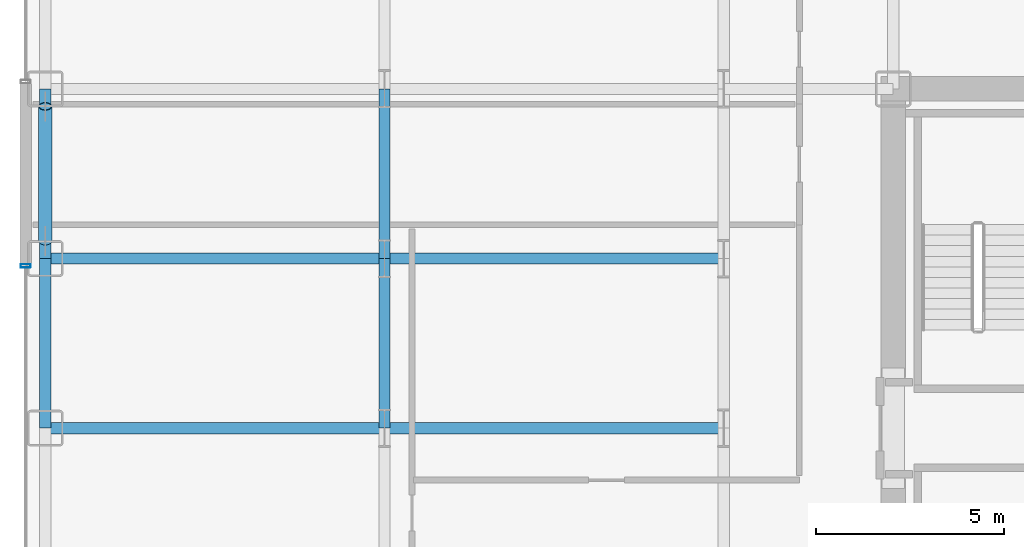
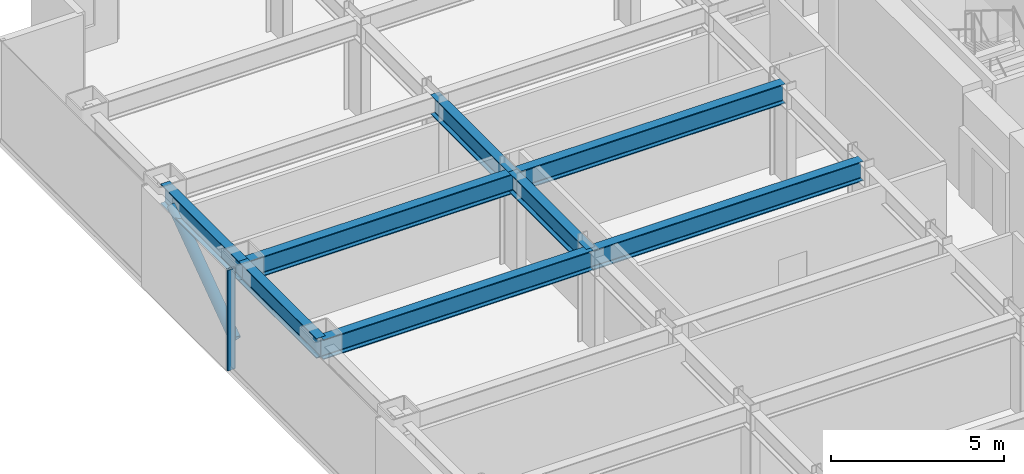
# One storey, part 6 of 29: 8 beams, 2 members, 1 element without a shape of its own.
"""IFC4 building model written with IfcOpenShell, lengths in metres."""

from ifc_helpers import new_model, si_unit, direction, frame, origin, origin_2d, place, context, subcontext, project, spatial, hollow_rectangle, hollow_circle, i_section, extrude, source, transform, mapped, material, layer, layer_set, material_profile, profile_set, type_object, element, aggregate, save


model = new_model("IFC4")

# Units and contexts
model_context = context("Model", 3, precision=1e-05, world=origin(), true_north=direction((0.0, 1.0)))
body_context = subcontext(model_context, "Body", "Model", "MODEL_VIEW")
ifc_project = project(units=[si_unit("LENGTHUNIT", "METRE"), si_unit("AREAUNIT", "SQUARE_METRE"), si_unit("VOLUMEUNIT", "CUBIC_METRE"), si_unit("PLANEANGLEUNIT", "RADIAN"), si_unit("MASSUNIT", "GRAM", prefix="KILO")], contexts=[model_context])

# Site, building, storey
site_placement = place(None, origin())
site = spatial("IfcSite", under=ifc_project, at=site_placement, CompositionType="ELEMENT")
building_placement = place(site_placement, origin())
building = spatial("IfcBuilding", under=site, at=building_placement, Name="Nefas-Gora Pilgrimage Tower", CompositionType="ELEMENT")
storey_placement = place(building_placement, frame((0.0, 0.0, 67.199951171875)))
storey = spatial("IfcBuildingStorey", under=building, at=storey_placement, Name="L15", CompositionType="ELEMENT", Elevation=67.199951171875)

# Beams
ifc_material_1 = material(Name="Steel S355", Category="steel")
ifc_material_profile_1 = material_profile(ifc_material_1, i_section(OverallWidth=0.300048828125, OverallDepth=0.699951171875, WebThickness=0.01708984375, FlangeThickness=0.031982421875, FilletRadius=0.027099609375, at=origin_2d()), Name="HEB 700")
ifc_profile_set_1 = profile_set([ifc_material_profile_1], Name="Steel S355")
beam_type_1 = type_object("IfcBeamType", Name="BM-SPN-HEB600", PredefinedType="SPANDREL", material=ifc_profile_set_1)
shared_shape_1 = source(origin(), body_context, "Body", "SweptSolid", [
    extrude(i_section(OverallWidth=0.300048828125, OverallDepth=0.699951171875, WebThickness=0.01708984375, FlangeThickness=0.031982421875, FilletRadius=0.027099609375, at=origin_2d()), origin(), (0.0, 0.0, 1.0), 4.5),
])
for number, where, z_axis, x_axis, name in (
    (1, (-33.75, 0.0, 3.199951171875), (0.0, 1.0, 0.0), (-1.0, 0.0, 0.0), "L15 SP-01 beam"),
    (2, (-33.75, 4.5, 3.199951171875), (0.0, 1.0, 0.0), (-1.0, 0.0, 0.0), "L15 SP-01 beam"),
):
    element("IfcBeam", number, at=place(storey_placement, frame(where, z_axis=z_axis, x_axis=x_axis)), inside=storey, type_object=beam_type_1, Name=name, PredefinedType="SPANDREL", context=body_context, shape_type="MappedRepresentation", body=[
        mapped(shared_shape_1, transform((0.0, 0.0, 0.0), x_axis=(1.0, 0.0, 0.0), y_axis=(0.0, 1.0, 0.0), z_axis=(0.0, 0.0, 1.0), scale=1.0)),
    ])
ifc_material_profile_2 = material_profile(ifc_material_1, i_section(OverallWidth=0.300048828125, OverallDepth=0.699951171875, WebThickness=0.01708984375, FlangeThickness=0.031982421875, FilletRadius=0.027099609375, at=origin_2d()), Name="HEB 700")
ifc_profile_set_2 = profile_set([ifc_material_profile_2], Name="Steel S355")
beam_type_2 = type_object("IfcBeamType", Name="BM-GIR-HEB700", PredefinedType="BEAM", material=ifc_profile_set_2)
shared_shape_2 = source(origin(), body_context, "Body", "SweptSolid", [
    extrude(i_section(OverallWidth=0.300048828125, OverallDepth=0.699951171875, WebThickness=0.01708984375, FlangeThickness=0.031982421875, FilletRadius=0.027099609375, at=origin_2d()), origin(), (0.0, 0.0, 1.0), 9.0),
])
for number, where, z_axis, x_axis, name in (
    (3, (-33.75, 0.0, 3.199951171875), (1.0, 0.0, 0.0), (0.0, 1.0, 0.0), "L15 G-02 beam"),
    (4, (-33.75, 4.5, 3.199951171875), (1.0, 0.0, 0.0), (0.0, 1.0, 0.0), "L15 G-02 beam"),
    (5, (-24.75, 0.0, 3.199951171875), (1.0, 0.0, 0.0), (0.0, 1.0, 0.0), "L15 G-02 beam"),
    (6, (-24.75, 4.5, 3.199951171875), (1.0, 0.0, 0.0), (0.0, 1.0, 0.0), "L15 G-02 beam"),
):
    element("IfcBeam", number, at=place(storey_placement, frame(where, z_axis=z_axis, x_axis=x_axis)), inside=storey, type_object=beam_type_2, Name=name, PredefinedType="BEAM", context=body_context, shape_type="MappedRepresentation", body=[
        mapped(shared_shape_2, transform((0.0, 0.0, 0.0), x_axis=(1.0, 0.0, 0.0), y_axis=(0.0, 1.0, 0.0), z_axis=(0.0, 0.0, 1.0), scale=1.0)),
    ])
shared_shape_3 = source(origin(), body_context, "Body", "SweptSolid", [
    extrude(i_section(OverallWidth=0.300048828125, OverallDepth=0.699951171875, WebThickness=0.01708984375, FlangeThickness=0.031982421875, FilletRadius=0.027099609375, at=origin_2d()), origin(), (0.0, 0.0, 1.0), 4.5),
])
for number, where, z_axis, x_axis, name in (
    (7, (-24.75, 0.0, 3.199951171875), (0.0, 1.0, 0.0), (-1.0, 0.0, 0.0), "L15 G-02 beam"),
    (8, (-24.75, 4.5, 3.199951171875), (0.0, 1.0, 0.0), (-1.0, 0.0, 0.0), "L15 G-02 beam"),
):
    element("IfcBeam", number, at=place(storey_placement, frame(where, z_axis=z_axis, x_axis=x_axis)), inside=storey, type_object=beam_type_2, Name=name, PredefinedType="BEAM", context=body_context, shape_type="MappedRepresentation", body=[
        mapped(shared_shape_3, transform((0.0, 0.0, 0.0), x_axis=(1.0, 0.0, 0.0), y_axis=(0.0, 1.0, 0.0), z_axis=(0.0, 0.0, 1.0), scale=1.0)),
    ])

# Member
ifc_material_2 = material(Name="Steel S460", Category="steel")
ifc_material_profile_3 = material_profile(ifc_material_2, hollow_circle(Radius=0.177734375, WallThickness=0.02001953125, at=origin_2d()), Name="CHS 355.6x20")
ifc_profile_set_3 = profile_set([ifc_material_profile_3], Name="Steel S460")
member_type_1 = type_object("IfcMemberType", Name="MEM-TUBE-356", PredefinedType="BRACE", material=ifc_profile_set_3)
shared_shape_4 = source(origin(), body_context, "Body", "SweptSolid", [
    extrude(hollow_circle(Radius=0.177734375, WallThickness=0.02001953125, at=origin_2d()), origin(), (0.0, 0.0, 1.0), 4.39501953125),
])
member_1_placement = place(storey_placement, frame((-33.75, 4.962890625, 0.4814453125), z_axis=(0.0, 0.813264026864, 0.581894855287), x_axis=(-1.0, 0.0, 0.0)))
element("IfcMember", 9, at=member_1_placement, inside=storey, type_object=member_type_1, Name="L15 Perimeter Tube Diagonal Brace W2", PredefinedType="BRACE", context=body_context, shape_type="MappedRepresentation", body=[
    mapped(shared_shape_4, transform((0.0, 0.0, 0.0), x_axis=(1.0, 0.0, 0.0), y_axis=(0.0, 1.0, 0.0), z_axis=(0.0, 0.0, 1.0), scale=1.0)),
])

# Curtain wall, member
ifc_material_3 = material(Name="Dark ceramic-fritted solar-control aluminium-glass curtain wall", Category="aluminium")
ifc_layer = layer(ifc_material_3, 0.219970703125)
ifc_layer_set = layer_set([ifc_layer], Name="Dark ceramic-fritted solar-control aluminium-glass curtain wall")
curtain_wall_type = type_object("IfcCurtainWallType", Name="CW-SYS-2", PredefinedType="NOTDEFINED", material=ifc_layer_set)
curtain_wall_placement = place(storey_placement, origin())
curtain_wall = element("IfcCurtainWall", 10, at=curtain_wall_placement, inside=storey, type_object=curtain_wall_type, Name="L15 Unitised Curtain Wall CW2", PredefinedType="NOTDEFINED")
ifc_material_4 = material(Name="Anodised architectural aluminium", Category="aluminium")
ifc_material_profile_4 = material_profile(ifc_material_4, hollow_rectangle(XDim=0.090087890625, YDim=0.260009765625, WallThickness=0.006103515625, InnerFilletRadius=0.006103515625, OuterFilletRadius=0.011962890625, at=origin_2d()), Name="ALU MULLION 90x260")
ifc_profile_set_4 = profile_set([ifc_material_profile_4], Name="Anodised architectural aluminium")
member_type_2 = type_object("IfcMemberType", Name="CWM-MUL-2", PredefinedType="MULLION", material=ifc_profile_set_4)
shared_shape_5 = source(origin(), body_context, "Body", "SweptSolid", [
    extrude(hollow_rectangle(XDim=0.090087890625, YDim=0.260009765625, WallThickness=0.006103515625, InnerFilletRadius=0.006103515625, OuterFilletRadius=0.011962890625, at=origin_2d()), origin(), (0.0, 0.0, 1.0), 3.550048828125),
])
member_2_placement = place(storey_placement, frame((-34.27001953125, 4.304931640625, 0.0), z_axis=(0.0, 0.0, 1.0), x_axis=(0.0, -1.0, 0.0)))
member_2 = element("IfcMember", 11, at=member_2_placement, type_object=member_type_2, Name="CW2 Mullion 1", PredefinedType="MULLION", context=body_context, shape_type="MappedRepresentation", body=[
    mapped(shared_shape_5, transform((0.0, 0.0, 0.0), x_axis=(1.0, 0.0, 0.0), y_axis=(0.0, 1.0, 0.0), z_axis=(0.0, 0.0, 1.0), scale=1.0)),
])
aggregate(curtain_wall, [member_2])

save(model, "model.ifc")
